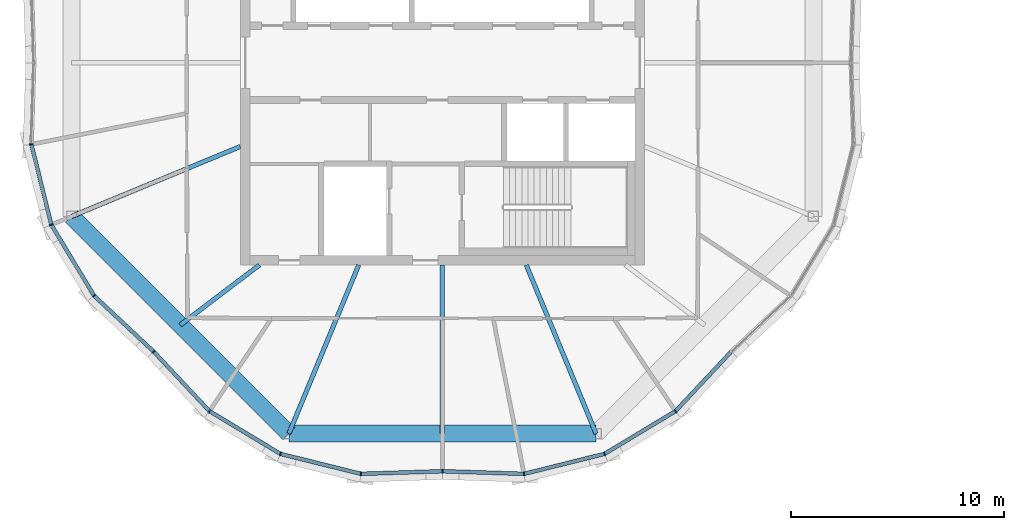
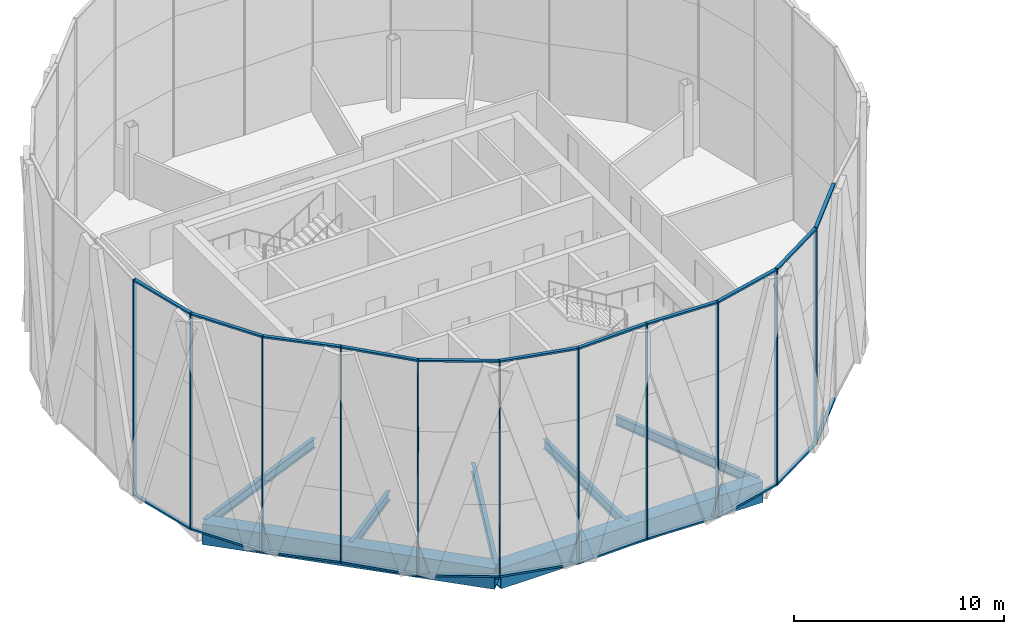
# One storey, part 3 of 23: 33 members, 7 beams, 3 elements without a shape of their own.
"""IFC4 building model written with IfcOpenShell, lengths in metres."""

import ifcopenshell
import ifcopenshell.guid

model = None  # the IFC model being written
_history = None  # IfcOwnerHistory: only IFC2X3 demands one
_inside = {}  # id of a spatial element -> (the spatial element, [elements in it])
_under = {}  # id of a project, library or spatial element -> (it, [spatial elements below it])
_declared = {}  # id of a project -> (the project, [libraries it declares])
_typed = {}  # id of a type object -> (the type object, [elements of that type])
_made_of = {}  # id of a material, layer set ... -> (it, [elements and type objects made of it])


def new_model(schema):
    """Start an empty IFC model of exactly this schema.

    Asked for "IFC4X3", IfcOpenShell would pick the latest addendum, in which some entities
    have other attributes; the version numbers below select the first issue.
    IFC2X3 requires an IfcOwnerHistory on every rooted entity: one is made here for all.
    """
    global model, _history
    if schema == "IFC4X3":
        model = ifcopenshell.file(schema_version=(4, 3, 0, 0))
    else:
        model = ifcopenshell.file(schema=schema)
    _inside.clear()
    _under.clear()
    _declared.clear()
    _typed.clear()
    _made_of.clear()
    _history = None
    if model.schema == "IFC2X3":
        org = make("IfcOrganization", Name="unknown")
        user = make(
            "IfcPersonAndOrganization",
            ThePerson=make("IfcPerson", FamilyName="unknown"),
            TheOrganization=org,
        )
        app = make(
            "IfcApplication",
            ApplicationDeveloper=org,
            Version="unknown",
            ApplicationFullName="unknown",
            ApplicationIdentifier="unknown",
        )
        _history = make(
            "IfcOwnerHistory",
            OwningUser=user,
            OwningApplication=app,
            ChangeAction="ADDED",
            CreationDate=0,
        )
    return model


def make(cls, **values):
    """One entity of the class cls with the attributes given. An attribute that is None is left unset."""
    return model.create_entity(
        cls, **{name: value for name, value in values.items() if value is not None}
    )


def rooted(cls, **values):
    """An entity with a GlobalId (a new one), such as an element, a storey or a relation."""
    return make(cls, GlobalId=ifcopenshell.guid.new(), OwnerHistory=_history, **values)


def si_unit(unit_type, name, prefix=None):
    """IfcSIUnit, for example si_unit("LENGTHUNIT", "METRE", prefix="MILLI")."""
    return make("IfcSIUnit", UnitType=unit_type, Prefix=prefix, Name=name)


def assignment(units):
    """IfcUnitAssignment: the units of a project."""
    return None if units is None else make("IfcUnitAssignment", Units=units)


def point(xyz):
    """IfcCartesianPoint."""
    return None if xyz is None else make("IfcCartesianPoint", Coordinates=xyz)


def direction(xyz):
    """IfcDirection."""
    return None if xyz is None else make("IfcDirection", DirectionRatios=xyz)


def frame(location, z_axis=None, x_axis=None):
    """IfcAxis2Placement3D, a coordinate frame: its origin and axes. An axis left out is left unset."""
    return make(
        "IfcAxis2Placement3D",
        Location=point(location),
        Axis=direction(z_axis),
        RefDirection=direction(x_axis),
    )


def frame_2d(location, x_axis=None):
    """IfcAxis2Placement2D, a coordinate frame in the plane: its origin and x axis."""
    return make(
        "IfcAxis2Placement2D", Location=point(location), RefDirection=direction(x_axis)
    )


def origin():
    """The frame at (0, 0, 0) with its axes left unset."""
    return frame((0.0, 0.0, 0.0))


def origin_2d():
    """The frame at (0, 0) in the plane with its x axis left unset."""
    return frame_2d((0.0, 0.0))


def place(relative_to, where):
    """IfcLocalPlacement: puts the frame where relative to a parent placement (None: the world)."""
    return make(
        "IfcLocalPlacement", PlacementRelTo=relative_to, RelativePlacement=where
    )


def context(
    kind, dimensions, precision=None, world=None, true_north=None, identifier=None
):
    """IfcGeometricRepresentationContext, for example the 3D "Model" context."""
    return make(
        "IfcGeometricRepresentationContext",
        ContextIdentifier=identifier,
        ContextType=kind,
        CoordinateSpaceDimension=dimensions,
        Precision=precision,
        WorldCoordinateSystem=world,
        TrueNorth=true_north,
    )


def subcontext(parent, identifier, kind, view, scale=None):
    """IfcGeometricRepresentationSubContext, for example "Body" below "Model"."""
    return make(
        "IfcGeometricRepresentationSubContext",
        ContextIdentifier=identifier,
        ContextType=kind,
        ParentContext=parent,
        TargetScale=scale,
        TargetView=view,
    )


def project(units=None, contexts=None):
    """IfcProject with its units and contexts."""
    return rooted(
        "IfcProject",
        Name="project",
        RepresentationContexts=contexts,
        UnitsInContext=assignment(units),
    )


def spatial(cls, under=None, at=None, **own):
    """A site, building, storey or space (cls), placed at a placement, below another one or the project."""
    s = rooted(cls, ObjectPlacement=at, **own)
    if under is not None:
        _under.setdefault(under.id(), (under, []))[1].append(s)
    return s


def profile(cls, at=None, kind="AREA", **sizes):
    """A parametric profile (cls). Its sizes go by their IFC names, for example OverallWidth=200.0."""
    return make(cls, ProfileType=kind, Position=at, **sizes)


def rectangle(**sizes):
    """IfcRectangleProfileDef."""
    return profile("IfcRectangleProfileDef", **sizes)


def hollow_rectangle(**sizes):
    """IfcRectangleHollowProfileDef."""
    return profile("IfcRectangleHollowProfileDef", **sizes)


def i_section(**sizes):
    """IfcIShapeProfileDef."""
    return profile("IfcIShapeProfileDef", **sizes)


def extrude(swept, where, along, depth):
    """IfcExtrudedAreaSolid: the profile swept, set in the frame where, extruded along a direction by depth."""
    return make(
        "IfcExtrudedAreaSolid",
        SweptArea=swept,
        Position=where,
        ExtrudedDirection=direction(along),
        Depth=depth,
    )


def shape(context_of_items, identifier, shape_type, items):
    """IfcShapeRepresentation: the items that make up one representation, for example the "Body"."""
    return make(
        "IfcShapeRepresentation",
        ContextOfItems=context_of_items,
        RepresentationIdentifier=identifier,
        RepresentationType=shape_type,
        Items=items,
    )


def material(Name=None, Category=None):
    """IfcMaterial."""
    return make("IfcMaterial", Name=Name, Category=Category)


def material_profile(
    of_material, cross_section, Name=None, Category=None, Priority=None
):
    """IfcMaterialProfile: a cross section and its material."""
    return make(
        "IfcMaterialProfile",
        Name=Name,
        Material=of_material,
        Profile=cross_section,
        Priority=Priority,
        Category=Category,
    )


def profile_set(profiles, Name=None, composite=None):
    """IfcMaterialProfileSet."""
    return make(
        "IfcMaterialProfileSet",
        Name=Name,
        MaterialProfiles=profiles,
        CompositeProfile=composite,
    )


def made_of(thing, what):
    """Note that an element or type object is made of a material, layer set ...; save() writes the relation."""
    if what is not None:
        _made_of.setdefault(what.id(), (what, []))[1].append(thing)
    return thing


def type_object(cls, material=None, **own):
    """A type object (cls), such as IfcWallType, which elements share."""
    return made_of(rooted(cls, **own), material)


def element(
    cls,
    number,
    at=None,
    inside=None,
    cuts=None,
    type_object=None,
    material=None,
    context=None,
    identifier="Body",
    shape_type=None,
    held_by="IfcProductDefinitionShape",
    body=None,
    shapes=None,
    **own,
):
    """One element of the class cls, such as IfcWall. Its Tag is "e" and its number.

    at: its placement. inside: the storey or other place that contains it. cuts: it is an
    opening in that element (IfcRelVoidsElement). A single representation is given by context,
    identifier, shape_type and body (its items); several are given by shapes. held_by: the class
    of the entity that holds the representations. save() writes the other relations.
    """
    e = rooted(cls, Tag="e%d" % number, ObjectPlacement=at, **own)
    if body is not None:
        shapes = [shape(context, identifier, shape_type, body)]
    if shapes is not None:
        e.Representation = make(held_by, Representations=shapes)
    if inside is not None:
        _inside.setdefault(inside.id(), (inside, []))[1].append(e)
    if cuts is not None:
        rooted(
            "IfcRelVoidsElement", RelatingBuildingElement=cuts, RelatedOpeningElement=e
        )
    if type_object is not None:
        _typed.setdefault(type_object.id(), (type_object, []))[1].append(e)
    return made_of(e, material)


def aggregate(whole, parts):
    """IfcRelAggregates: a whole, such as a stair, and the parts it consists of."""
    return rooted("IfcRelAggregates", RelatingObject=whole, RelatedObjects=parts)


def save(model, path):
    """Write the relations noted so far, then the file.

    IfcRelAggregates (storeys below a building ...), IfcRelContainedInSpatialStructure (elements
    in a storey), IfcRelDefinesByType, IfcRelAssociatesMaterial and IfcRelDeclares: one each for
    every whole, place, type object, material and project.
    """
    for whole, parts in _under.values():
        aggregate(whole, parts)
    for where, things in _inside.values():
        rooted(
            "IfcRelContainedInSpatialStructure",
            RelatedElements=things,
            RelatingStructure=where,
        )
    for kind, things in _typed.values():
        rooted("IfcRelDefinesByType", RelatedObjects=things, RelatingType=kind)
    for what, things in _made_of.values():
        rooted("IfcRelAssociatesMaterial", RelatedObjects=things, RelatingMaterial=what)
    for by, libraries in _declared.values():
        rooted("IfcRelDeclares", RelatingContext=by, RelatedDefinitions=libraries)
    model.write(path)


model = new_model("IFC4")

# Units and contexts
model_context = context("Model", 3, precision=1e-05, world=origin(), true_north=direction((0.0, 1.0)))
body_context = subcontext(model_context, "Body", "Model", "MODEL_VIEW")
ifc_project = project(units=[si_unit("LENGTHUNIT", "METRE"), si_unit("AREAUNIT", "SQUARE_METRE"), si_unit("VOLUMEUNIT", "CUBIC_METRE"), si_unit("PLANEANGLEUNIT", "RADIAN"), si_unit("MASSUNIT", "GRAM", prefix="KILO")], contexts=[model_context])

# Site, building, storey
site_placement = place(None, origin())
site = spatial("IfcSite", under=ifc_project, at=site_placement, CompositionType="ELEMENT")
building_placement = place(site_placement, origin())
building = spatial("IfcBuilding", under=site, at=building_placement, Name="Ogive Gate Towers", CompositionType="ELEMENT")
storey_placement = place(building_placement, frame((0.0, 0.0, 256.199951171875)))
storey = spatial("IfcBuildingStorey", under=building, at=storey_placement, Name="L60", CompositionType="ELEMENT", Elevation=256.199951171875)

# Beams
ifc_material_1 = material(Name="Steel SM460", Category="steel")
ifc_material_profile_1 = material_profile(ifc_material_1, hollow_rectangle(XDim=0.800048828125, YDim=1.199951171875, WallThickness=0.050048828125, at=origin_2d()), Name="BX 1200x800x50")
ifc_profile_set_1 = profile_set([ifc_material_profile_1], Name="Steel SM460")
beam_type_1 = type_object("IfcBeamType", Name="Edge girder BX 1200x800x50", PredefinedType="BEAM", material=ifc_profile_set_1)
beam_1_placement = place(storey_placement, frame((-53.42431640625, -7.217529296875, -0.89990234375), z_axis=(0.707106781187, -0.707106781187, 0.0), x_axis=(0.707106781187, 0.707106781187, 0.0)))
element("IfcBeam", 1, at=beam_1_placement, inside=storey, type_object=beam_type_1, Name="T1/L60/SBM017", PredefinedType="BEAM", context=body_context, shape_type="SweptSolid", body=[
    extrude(hollow_rectangle(XDim=0.800048828125, YDim=1.199951171875, WallThickness=0.050048828125, at=origin_2d()), origin(), (0.0, 0.0, 1.0), 14.4345703125),
])
beam_2_placement = place(storey_placement, frame((-43.217529296875, -17.42431640625, -0.89990234375), z_axis=(1.0, 0.0, 0.0), x_axis=(0.0, 1.0, 0.0)))
element("IfcBeam", 2, at=beam_2_placement, inside=storey, type_object=beam_type_1, Name="T1/L60/SBM018", PredefinedType="BEAM", context=body_context, shape_type="SweptSolid", body=[
    extrude(hollow_rectangle(XDim=0.800048828125, YDim=1.199951171875, WallThickness=0.050048828125, at=origin_2d()), origin(), (0.0, 0.0, 1.0), 14.43505859375),
])
ifc_material_2 = material(Name="Steel SM355", Category="steel")
ifc_material_profile_2 = material_profile(ifc_material_2, i_section(OverallWidth=0.2099609375, OverallDepth=0.550048828125, WebThickness=0.010986328125, FlangeThickness=0.01708984375, FilletRadius=0.02392578125, at=origin_2d()), Name="IPE 550")
ifc_profile_set_2 = profile_set([ifc_material_profile_2], Name="Steel SM355")
beam_type_2 = type_object("IfcBeamType", Name="Radial floor beam IPE 550", PredefinedType="BEAM", material=ifc_profile_set_2)
beam_3_placement = place(storey_placement, frame((-45.5, -3.93505859375, -0.574951171875), z_axis=(-0.923874941579, -0.382694515667, 0.0), x_axis=(0.382694515667, -0.923874941579, 0.0)))
element("IfcBeam", 3, at=beam_3_placement, inside=storey, type_object=beam_type_2, Name="T1/L60/SBM001", PredefinedType="BEAM", context=body_context, shape_type="SweptSolid", body=[
    extrude(i_section(OverallWidth=0.2099609375, OverallDepth=0.550048828125, WebThickness=0.010986328125, FlangeThickness=0.01708984375, FilletRadius=0.02392578125, at=origin_2d()), origin(), (0.0, 0.0, 1.0), 8.5771484375),
])
beam_4_placement = place(storey_placement, frame((-44.60009765625, -9.5, -0.574951171875), z_axis=(-0.796877025219, -0.604141545235, 0.0), x_axis=(0.604141545235, -0.796877025219, 0.0)))
element("IfcBeam", 4, at=beam_4_placement, inside=storey, type_object=beam_type_2, Name="T1/L60/SBM002", PredefinedType="BEAM", context=body_context, shape_type="SweptSolid", body=[
    extrude(i_section(OverallWidth=0.2099609375, OverallDepth=0.550048828125, WebThickness=0.010986328125, FlangeThickness=0.01708984375, FilletRadius=0.02392578125, at=origin_2d()), origin(), (0.0, 0.0, 1.0), 4.669189453125),
])
beam_5_placement = place(storey_placement, frame((-39.93505859375, -9.5, -0.574951171875), z_axis=(-0.382694515667, -0.923874941579, 0.0), x_axis=(0.923874941579, -0.382694515667, 0.0)))
element("IfcBeam", 5, at=beam_5_placement, inside=storey, type_object=beam_type_2, Name="T1/L60/SBM003", PredefinedType="BEAM", context=body_context, shape_type="SweptSolid", body=[
    extrude(i_section(OverallWidth=0.2099609375, OverallDepth=0.550048828125, WebThickness=0.010986328125, FlangeThickness=0.01708984375, FilletRadius=0.02392578125, at=origin_2d()), origin(), (0.0, 0.0, 1.0), 8.5771484375),
])
beam_6_placement = place(storey_placement, frame((-36.0, -9.5, -0.574951171875), z_axis=(0.0, -1.0, 0.0), x_axis=(1.0, 0.0, 0.0)))
element("IfcBeam", 6, at=beam_6_placement, inside=storey, type_object=beam_type_2, Name="T1/L60/SBM004", PredefinedType="BEAM", context=body_context, shape_type="SweptSolid", body=[
    extrude(i_section(OverallWidth=0.2099609375, OverallDepth=0.550048828125, WebThickness=0.010986328125, FlangeThickness=0.01708984375, FilletRadius=0.02392578125, at=origin_2d()), origin(), (0.0, 0.0, 1.0), 7.92431640625),
])
beam_7_placement = place(storey_placement, frame((-32.06494140625, -9.5, -0.574951171875), z_axis=(0.382694515667, -0.923874941579, 0.0), x_axis=(0.923874941579, 0.382694515667, 0.0)))
element("IfcBeam", 7, at=beam_7_placement, inside=storey, type_object=beam_type_2, Name="T1/L60/SBM005", PredefinedType="BEAM", context=body_context, shape_type="SweptSolid", body=[
    extrude(i_section(OverallWidth=0.2099609375, OverallDepth=0.550048828125, WebThickness=0.010986328125, FlangeThickness=0.01708984375, FilletRadius=0.02392578125, at=origin_2d()), origin(), (0.0, 0.0, 1.0), 8.5771484375),
])

# Curtain wall, members
ifc_material_3 = material(Name="Pale metal aluminium", Category="aluminium")
curtain_wall_type = type_object("IfcCurtainWallType", Name="Tower unitised wall, high zone", PredefinedType="NOTDEFINED", material=ifc_material_3)
curtain_wall_1_placement = place(storey_placement, origin())
curtain_wall_1 = element("IfcCurtainWall", 8, at=curtain_wall_1_placement, inside=storey, type_object=curtain_wall_type, Name="CW2 T1 ECW05", PredefinedType="NOTDEFINED")
ifc_material_profile_3 = material_profile(ifc_material_3, rectangle(XDim=0.179931640625, YDim=0.06005859375, at=origin_2d()), Name="60 x 180 aluminium box")
ifc_profile_set_3 = profile_set([ifc_material_profile_3], Name="Pale metal aluminium")
member_type_1 = type_object("IfcMemberType", Name="Tower unitised wall, high zone mullion 60 x 180", PredefinedType="MULLION", material=ifc_profile_set_3)
member_1_placement = place(storey_placement, frame((-55.31396484375, -3.833251953125, -0.300048828125), z_axis=(0.0, 0.0, 1.0), x_axis=(-0.994450514713, -0.105205388581, 0.0)))
member_1 = element("IfcMember", 9, at=member_1_placement, type_object=member_type_1, Name="CW2 mullion", PredefinedType="MULLION", context=body_context, shape_type="SweptSolid", body=[
    extrude(rectangle(XDim=0.179931640625, YDim=0.06005859375, at=origin_2d()), origin(), (0.0, 0.0, 1.0), 12.60009765625),
])
member_2_placement = place(storey_placement, frame((-54.376953125, -7.612060546875, -0.300048828125), z_axis=(0.0, 0.0, 1.0), x_axis=(-0.923879532511, -0.382683432365, 0.0)))
member_2 = element("IfcMember", 10, at=member_2_placement, type_object=member_type_1, Name="CW2 mullion", PredefinedType="MULLION", context=body_context, shape_type="SweptSolid", body=[
    extrude(rectangle(XDim=0.179931640625, YDim=0.06005859375, at=origin_2d()), origin(), (0.0, 0.0, 1.0), 12.60009765625),
])
member_3_placement = place(storey_placement, frame((-52.367431640625, -10.9462890625, -0.300048828125), z_axis=(0.0, 0.0, 1.0), x_axis=(-0.777574146191, -0.628791258825, 0.0)))
member_3 = element("IfcMember", 11, at=member_3_placement, type_object=member_type_1, Name="CW2 mullion", PredefinedType="MULLION", context=body_context, shape_type="SweptSolid", body=[
    extrude(rectangle(XDim=0.179931640625, YDim=0.06005859375, at=origin_2d()), origin(), (0.0, 0.0, 1.0), 12.60009765625),
])
member_4_placement = place(storey_placement, frame((-49.569580078125, -13.569091796875, -0.300048828125), z_axis=(0.0, 0.0, 1.0), x_axis=(-0.68393616645, -0.729541856388, 0.0)))
member_4 = element("IfcMember", 12, at=member_4_placement, type_object=member_type_1, Name="CW2 mullion", PredefinedType="MULLION", context=body_context, shape_type="SweptSolid", body=[
    extrude(rectangle(XDim=0.179931640625, YDim=0.06005859375, at=origin_2d()), origin(), (0.0, 0.0, 1.0), 12.60009765625),
])

curtain_wall_2_placement = place(storey_placement, origin())
curtain_wall_2 = element("IfcCurtainWall", 13, at=curtain_wall_2_placement, inside=storey, type_object=curtain_wall_type, Name="CW2 T1 ECW06", PredefinedType="NOTDEFINED")
member_5_placement = place(storey_placement, frame((-46.9462890625, -16.367431640625, -0.300048828125), z_axis=(0.0, 0.0, 1.0), x_axis=(-0.628791258825, -0.777574146191, 0.0)))
member_5 = element("IfcMember", 14, at=member_5_placement, type_object=member_type_1, Name="CW2 mullion", PredefinedType="MULLION", context=body_context, shape_type="SweptSolid", body=[
    extrude(rectangle(XDim=0.179931640625, YDim=0.06005859375, at=origin_2d()), origin(), (0.0, 0.0, 1.0), 12.60009765625),
])
member_6_placement = place(storey_placement, frame((-43.612060546875, -18.376953125, -0.300048828125), z_axis=(0.0, 0.0, 1.0), x_axis=(-0.382683432365, -0.923879532511, 0.0)))
member_6 = element("IfcMember", 15, at=member_6_placement, type_object=member_type_1, Name="CW2 mullion", PredefinedType="MULLION", context=body_context, shape_type="SweptSolid", body=[
    extrude(rectangle(XDim=0.179931640625, YDim=0.06005859375, at=origin_2d()), origin(), (0.0, 0.0, 1.0), 12.60009765625),
])
member_7_placement = place(storey_placement, frame((-39.833251953125, -19.31396484375, -0.300048828125), z_axis=(0.0, 0.0, 1.0), x_axis=(-0.105205388581, -0.994450514713, 0.0)))
member_7 = element("IfcMember", 16, at=member_7_placement, type_object=member_type_1, Name="CW2 mullion", PredefinedType="MULLION", context=body_context, shape_type="SweptSolid", body=[
    extrude(rectangle(XDim=0.179931640625, YDim=0.06005859375, at=origin_2d()), origin(), (0.0, 0.0, 1.0), 12.60009765625),
])
member_8_placement = place(storey_placement, frame((-36.000244140625, -19.190185546875, -0.300048828125), z_axis=(0.0, 0.0, 1.0), x_axis=(0.032248092615, -0.999479895007, 0.0)))
member_8 = element("IfcMember", 17, at=member_8_placement, type_object=member_type_1, Name="CW2 mullion", PredefinedType="MULLION", context=body_context, shape_type="SweptSolid", body=[
    extrude(rectangle(XDim=0.179931640625, YDim=0.06005859375, at=origin_2d()), origin(), (0.0, 0.0, 1.0), 12.60009765625),
])

curtain_wall_3_placement = place(storey_placement, origin())
curtain_wall_3 = element("IfcCurtainWall", 18, at=curtain_wall_3_placement, inside=storey, type_object=curtain_wall_type, Name="CW2 T1 ECW07", PredefinedType="NOTDEFINED")
member_9_placement = place(storey_placement, frame((-32.166748046875, -19.31396484375, -0.300048828125), z_axis=(0.0, 0.0, 1.0), x_axis=(0.105205388581, -0.994450514713, 0.0)))
member_9 = element("IfcMember", 19, at=member_9_placement, type_object=member_type_1, Name="CW2 mullion", PredefinedType="MULLION", context=body_context, shape_type="SweptSolid", body=[
    extrude(rectangle(XDim=0.179931640625, YDim=0.06005859375, at=origin_2d()), origin(), (0.0, 0.0, 1.0), 12.60009765625),
])
member_10_placement = place(storey_placement, frame((-28.387939453125, -18.376953125, -0.300048828125), z_axis=(0.0, 0.0, 1.0), x_axis=(0.382683432365, -0.923879532511, 0.0)))
member_10 = element("IfcMember", 20, at=member_10_placement, type_object=member_type_1, Name="CW2 mullion", PredefinedType="MULLION", context=body_context, shape_type="SweptSolid", body=[
    extrude(rectangle(XDim=0.179931640625, YDim=0.06005859375, at=origin_2d()), origin(), (0.0, 0.0, 1.0), 12.60009765625),
])
member_11_placement = place(storey_placement, frame((-25.0537109375, -16.367431640625, -0.300048828125), z_axis=(0.0, 0.0, 1.0), x_axis=(0.628791258825, -0.777574146191, 0.0)))
member_11 = element("IfcMember", 21, at=member_11_placement, type_object=member_type_1, Name="CW2 mullion", PredefinedType="MULLION", context=body_context, shape_type="SweptSolid", body=[
    extrude(rectangle(XDim=0.179931640625, YDim=0.06005859375, at=origin_2d()), origin(), (0.0, 0.0, 1.0), 12.60009765625),
])

# Member
ifc_material_profile_4 = material_profile(ifc_material_3, rectangle(XDim=0.179931640625, YDim=0.10009765625, at=origin_2d()), Name="100 x 180 aluminium box")
ifc_profile_set_4 = profile_set([ifc_material_profile_4], Name="Pale metal aluminium")
member_type_2 = type_object("IfcMemberType", Name="Tower unitised wall, high zone transom 100 x 180", PredefinedType="USERDEFINED", material=ifc_profile_set_4)
member_12_placement = place(storey_placement, frame((-55.306884765625, -3.861083984375, 12.25), z_axis=(0.240648228376, -0.97061239956, 0.0), x_axis=(0.97061239956, 0.240648228376, 0.0)))
member_12 = element("IfcMember", 22, at=member_12_placement, type_object=member_type_2, Name="CW2 transom", ObjectType="TRANSOM", PredefinedType="USERDEFINED", context=body_context, shape_type="SweptSolid", body=[
    extrude(rectangle(XDim=0.179931640625, YDim=0.10009765625, at=origin_2d()), origin(), (0.0, 0.0, 1.0), 3.8359375),
])

member_13_placement = place(storey_placement, frame((-55.306884765625, -3.861083984375, -0.25), z_axis=(0.240648228376, -0.97061239956, 0.0), x_axis=(0.97061239956, 0.240648228376, 0.0)))
member_13 = element("IfcMember", 23, at=member_13_placement, type_object=member_type_2, Name="CW2 transom", ObjectType="TRANSOM", PredefinedType="USERDEFINED", context=body_context, shape_type="SweptSolid", body=[
    extrude(rectangle(XDim=0.179931640625, YDim=0.10009765625, at=origin_2d()), origin(), (0.0, 0.0, 1.0), 3.8359375),
])

member_14_placement = place(storey_placement, frame((-54.3623046875, -7.63623046875, 12.25), z_axis=(0.516188713906, -0.856474875076, 0.0), x_axis=(0.856474875076, 0.516188713906, 0.0)))
member_14 = element("IfcMember", 24, at=member_14_placement, type_object=member_type_2, Name="CW2 transom", ObjectType="TRANSOM", PredefinedType="USERDEFINED", context=body_context, shape_type="SweptSolid", body=[
    extrude(rectangle(XDim=0.179931640625, YDim=0.10009765625, at=origin_2d()), origin(), (0.0, 0.0, 1.0), 3.836181640625),
])

member_15_placement = place(storey_placement, frame((-54.3623046875, -7.63623046875, -0.25), z_axis=(0.516188713906, -0.856474875076, 0.0), x_axis=(0.856474875076, 0.516188713906, 0.0)))
member_15 = element("IfcMember", 25, at=member_15_placement, type_object=member_type_2, Name="CW2 transom", ObjectType="TRANSOM", PredefinedType="USERDEFINED", context=body_context, shape_type="SweptSolid", body=[
    extrude(rectangle(XDim=0.179931640625, YDim=0.10009765625, at=origin_2d()), origin(), (0.0, 0.0, 1.0), 3.836181640625),
])

member_16_placement = place(storey_placement, frame((-52.3466796875, -10.9658203125, 12.25), z_axis=(0.729559380509, -0.683917473319, 0.0), x_axis=(0.683917473319, 0.729559380509, 0.0)))
member_16 = element("IfcMember", 26, at=member_16_placement, type_object=member_type_2, Name="CW2 transom", ObjectType="TRANSOM", PredefinedType="USERDEFINED", context=body_context, shape_type="SweptSolid", body=[
    extrude(rectangle(XDim=0.179931640625, YDim=0.10009765625, at=origin_2d()), origin(), (0.0, 0.0, 1.0), 3.7763671875),
])

member_17_placement = place(storey_placement, frame((-52.3466796875, -10.9658203125, -0.25), z_axis=(0.729559380509, -0.683917473319, 0.0), x_axis=(0.683917473319, 0.729559380509, 0.0)))
member_17 = element("IfcMember", 27, at=member_17_placement, type_object=member_type_2, Name="CW2 transom", ObjectType="TRANSOM", PredefinedType="USERDEFINED", context=body_context, shape_type="SweptSolid", body=[
    extrude(rectangle(XDim=0.179931640625, YDim=0.10009765625, at=origin_2d()), origin(), (0.0, 0.0, 1.0), 3.7763671875),
])

aggregate(curtain_wall_1, [member_1, member_2, member_12, member_13, member_3, member_14, member_15, member_4, member_16, member_17])

member_18_placement = place(storey_placement, frame((-49.548583984375, -13.591552734375, 12.25), z_axis=(0.683917473319, -0.729559380509, 0.0), x_axis=(0.729559380509, 0.683917473319, 0.0)))
member_18 = element("IfcMember", 28, at=member_18_placement, type_object=member_type_2, Name="CW2 transom", ObjectType="TRANSOM", PredefinedType="USERDEFINED", context=body_context, shape_type="SweptSolid", body=[
    extrude(rectangle(XDim=0.179931640625, YDim=0.10009765625, at=origin_2d()), origin(), (0.0, 0.0, 1.0), 3.7763671875),
])

member_19_placement = place(storey_placement, frame((-49.548583984375, -13.591552734375, -0.25), z_axis=(0.683917473319, -0.729559380509, 0.0), x_axis=(0.729559380509, 0.683917473319, 0.0)))
member_19 = element("IfcMember", 29, at=member_19_placement, type_object=member_type_2, Name="CW2 transom", ObjectType="TRANSOM", PredefinedType="USERDEFINED", context=body_context, shape_type="SweptSolid", body=[
    extrude(rectangle(XDim=0.179931640625, YDim=0.10009765625, at=origin_2d()), origin(), (0.0, 0.0, 1.0), 3.7763671875),
])

member_20_placement = place(storey_placement, frame((-46.921875, -16.382080078125, 12.25), z_axis=(0.856474875076, -0.516188713906, 0.0), x_axis=(0.516188713906, 0.856474875076, 0.0)))
member_20 = element("IfcMember", 30, at=member_20_placement, type_object=member_type_2, Name="CW2 transom", ObjectType="TRANSOM", PredefinedType="USERDEFINED", context=body_context, shape_type="SweptSolid", body=[
    extrude(rectangle(XDim=0.179931640625, YDim=0.10009765625, at=origin_2d()), origin(), (0.0, 0.0, 1.0), 3.836181640625),
])

member_21_placement = place(storey_placement, frame((-46.921875, -16.382080078125, -0.25), z_axis=(0.856474875076, -0.516188713906, 0.0), x_axis=(0.516188713906, 0.856474875076, 0.0)))
member_21 = element("IfcMember", 31, at=member_21_placement, type_object=member_type_2, Name="CW2 transom", ObjectType="TRANSOM", PredefinedType="USERDEFINED", context=body_context, shape_type="SweptSolid", body=[
    extrude(rectangle(XDim=0.179931640625, YDim=0.10009765625, at=origin_2d()), origin(), (0.0, 0.0, 1.0), 3.836181640625),
])

member_22_placement = place(storey_placement, frame((-43.584228515625, -18.3837890625, 12.25), z_axis=(0.97061239956, -0.240648228376, 0.0), x_axis=(0.240648228376, 0.97061239956, 0.0)))
member_22 = element("IfcMember", 32, at=member_22_placement, type_object=member_type_2, Name="CW2 transom", ObjectType="TRANSOM", PredefinedType="USERDEFINED", context=body_context, shape_type="SweptSolid", body=[
    extrude(rectangle(XDim=0.179931640625, YDim=0.10009765625, at=origin_2d()), origin(), (0.0, 0.0, 1.0), 3.8359375),
])

member_23_placement = place(storey_placement, frame((-43.584228515625, -18.3837890625, -0.25), z_axis=(0.97061239956, -0.240648228376, 0.0), x_axis=(0.240648228376, 0.97061239956, 0.0)))
member_23 = element("IfcMember", 33, at=member_23_placement, type_object=member_type_2, Name="CW2 transom", ObjectType="TRANSOM", PredefinedType="USERDEFINED", context=body_context, shape_type="SweptSolid", body=[
    extrude(rectangle(XDim=0.179931640625, YDim=0.10009765625, at=origin_2d()), origin(), (0.0, 0.0, 1.0), 3.8359375),
])

member_24_placement = place(storey_placement, frame((-39.8046875, -19.312744140625, 12.25), z_axis=(0.99948159176, 0.032195461365, 0.0), x_axis=(-0.032195461365, 0.99948159176, 0.0)))
member_24 = element("IfcMember", 34, at=member_24_placement, type_object=member_type_2, Name="CW2 transom", ObjectType="TRANSOM", PredefinedType="USERDEFINED", context=body_context, shape_type="SweptSolid", body=[
    extrude(rectangle(XDim=0.179931640625, YDim=0.10009765625, at=origin_2d()), origin(), (0.0, 0.0, 1.0), 3.7763671875),
])

member_25_placement = place(storey_placement, frame((-39.8046875, -19.312744140625, -0.25), z_axis=(0.99948159176, 0.032195461365, 0.0), x_axis=(-0.032195461365, 0.99948159176, 0.0)))
member_25 = element("IfcMember", 35, at=member_25_placement, type_object=member_type_2, Name="CW2 transom", ObjectType="TRANSOM", PredefinedType="USERDEFINED", context=body_context, shape_type="SweptSolid", body=[
    extrude(rectangle(XDim=0.179931640625, YDim=0.10009765625, at=origin_2d()), origin(), (0.0, 0.0, 1.0), 3.7763671875),
])

aggregate(curtain_wall_2, [member_5, member_18, member_19, member_6, member_20, member_21, member_7, member_22, member_23, member_8, member_24, member_25])

member_26_placement = place(storey_placement, frame((-35.9697265625, -19.191162109375, 12.25), z_axis=(0.99948159176, -0.032195461365, 0.0), x_axis=(0.032195461365, 0.99948159176, 0.0)))
member_26 = element("IfcMember", 36, at=member_26_placement, type_object=member_type_2, Name="CW2 transom", ObjectType="TRANSOM", PredefinedType="USERDEFINED", context=body_context, shape_type="SweptSolid", body=[
    extrude(rectangle(XDim=0.179931640625, YDim=0.10009765625, at=origin_2d()), origin(), (0.0, 0.0, 1.0), 3.7763671875),
])

member_27_placement = place(storey_placement, frame((-35.9697265625, -19.191162109375, -0.25), z_axis=(0.99948159176, -0.032195461365, 0.0), x_axis=(0.032195461365, 0.99948159176, 0.0)))
member_27 = element("IfcMember", 37, at=member_27_placement, type_object=member_type_2, Name="CW2 transom", ObjectType="TRANSOM", PredefinedType="USERDEFINED", context=body_context, shape_type="SweptSolid", body=[
    extrude(rectangle(XDim=0.179931640625, YDim=0.10009765625, at=origin_2d()), origin(), (0.0, 0.0, 1.0), 3.7763671875),
])

member_28_placement = place(storey_placement, frame((-32.138916015625, -19.306884765625, 12.25), z_axis=(0.97061239956, 0.240648228376, 0.0), x_axis=(-0.240648228376, 0.97061239956, 0.0)))
member_28 = element("IfcMember", 38, at=member_28_placement, type_object=member_type_2, Name="CW2 transom", ObjectType="TRANSOM", PredefinedType="USERDEFINED", context=body_context, shape_type="SweptSolid", body=[
    extrude(rectangle(XDim=0.179931640625, YDim=0.10009765625, at=origin_2d()), origin(), (0.0, 0.0, 1.0), 3.8359375),
])

member_29_placement = place(storey_placement, frame((-32.138916015625, -19.306884765625, -0.25), z_axis=(0.97061239956, 0.240648228376, 0.0), x_axis=(-0.240648228376, 0.97061239956, 0.0)))
member_29 = element("IfcMember", 39, at=member_29_placement, type_object=member_type_2, Name="CW2 transom", ObjectType="TRANSOM", PredefinedType="USERDEFINED", context=body_context, shape_type="SweptSolid", body=[
    extrude(rectangle(XDim=0.179931640625, YDim=0.10009765625, at=origin_2d()), origin(), (0.0, 0.0, 1.0), 3.8359375),
])

member_30_placement = place(storey_placement, frame((-28.36376953125, -18.3623046875, 12.25), z_axis=(0.856474875076, 0.516188713906, 0.0), x_axis=(-0.516188713906, 0.856474875076, 0.0)))
member_30 = element("IfcMember", 40, at=member_30_placement, type_object=member_type_2, Name="CW2 transom", ObjectType="TRANSOM", PredefinedType="USERDEFINED", context=body_context, shape_type="SweptSolid", body=[
    extrude(rectangle(XDim=0.179931640625, YDim=0.10009765625, at=origin_2d()), origin(), (0.0, 0.0, 1.0), 3.836181640625),
])

member_31_placement = place(storey_placement, frame((-28.36376953125, -18.3623046875, -0.25), z_axis=(0.856474875076, 0.516188713906, 0.0), x_axis=(-0.516188713906, 0.856474875076, 0.0)))
member_31 = element("IfcMember", 41, at=member_31_placement, type_object=member_type_2, Name="CW2 transom", ObjectType="TRANSOM", PredefinedType="USERDEFINED", context=body_context, shape_type="SweptSolid", body=[
    extrude(rectangle(XDim=0.179931640625, YDim=0.10009765625, at=origin_2d()), origin(), (0.0, 0.0, 1.0), 3.836181640625),
])

member_32_placement = place(storey_placement, frame((-25.0341796875, -16.3466796875, 12.25), z_axis=(0.683917473319, 0.729559380509, 0.0), x_axis=(-0.729559380509, 0.683917473319, 0.0)))
member_32 = element("IfcMember", 42, at=member_32_placement, type_object=member_type_2, Name="CW2 transom", ObjectType="TRANSOM", PredefinedType="USERDEFINED", context=body_context, shape_type="SweptSolid", body=[
    extrude(rectangle(XDim=0.179931640625, YDim=0.10009765625, at=origin_2d()), origin(), (0.0, 0.0, 1.0), 3.7763671875),
])

member_33_placement = place(storey_placement, frame((-25.0341796875, -16.3466796875, -0.25), z_axis=(0.683917473319, 0.729559380509, 0.0), x_axis=(-0.729559380509, 0.683917473319, 0.0)))
member_33 = element("IfcMember", 43, at=member_33_placement, type_object=member_type_2, Name="CW2 transom", ObjectType="TRANSOM", PredefinedType="USERDEFINED", context=body_context, shape_type="SweptSolid", body=[
    extrude(rectangle(XDim=0.179931640625, YDim=0.10009765625, at=origin_2d()), origin(), (0.0, 0.0, 1.0), 3.7763671875),
])

aggregate(curtain_wall_3, [member_9, member_26, member_27, member_10, member_28, member_29, member_11, member_30, member_31, member_32, member_33])

save(model, "model.ifc")
